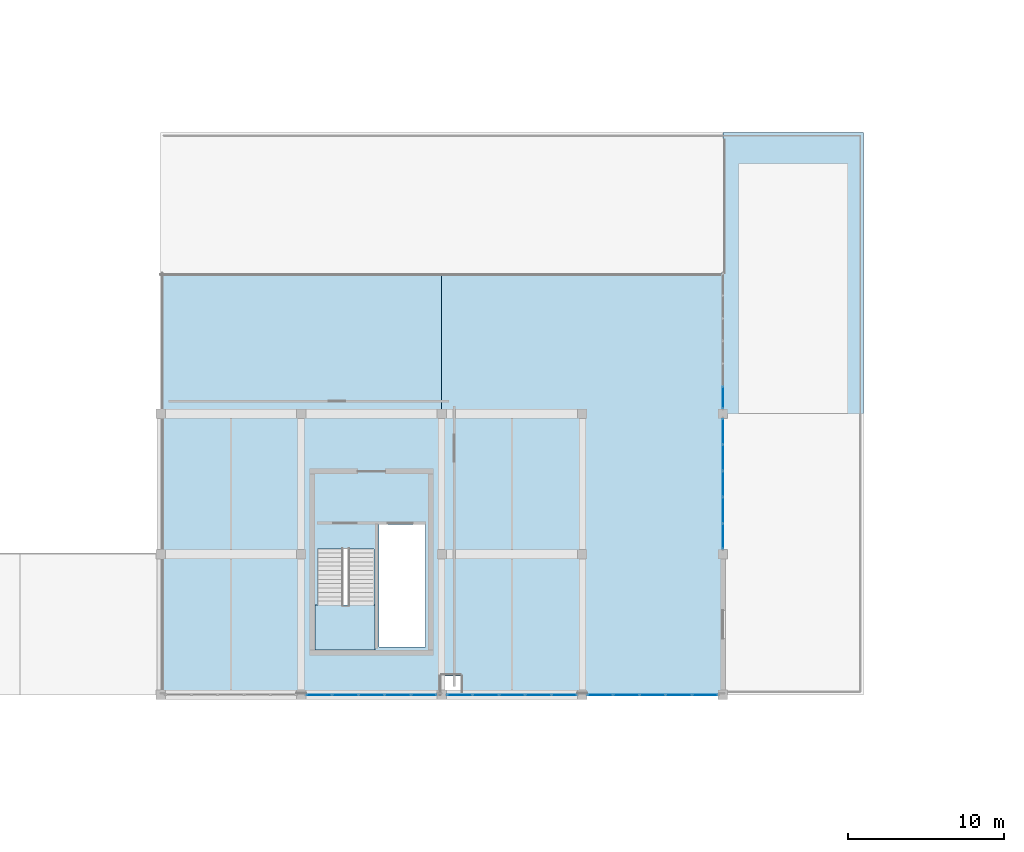
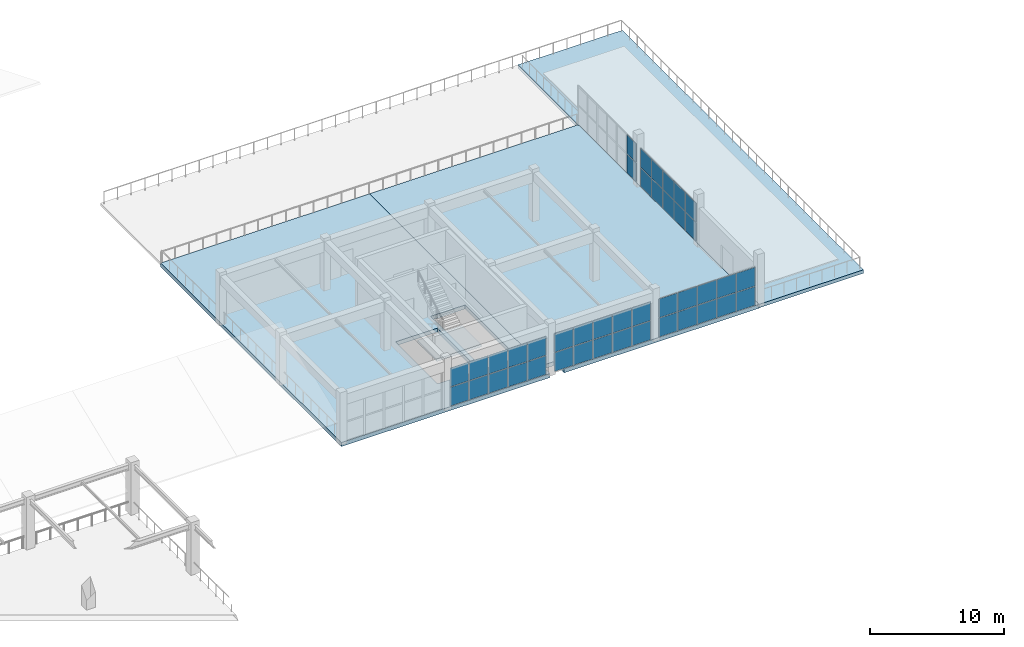
# One storey, part 56 of 89: 42 plates, 4 slabs, 6 elements without a shape of their own.
"""IFC4 building model written with IfcOpenShell, lengths in metres."""

from ifc_helpers import new_model, si_unit, direction, frame, origin, origin_2d, place, context, subcontext, project, spatial, polyline, rectangle, outline, extrude, material, layer, layer_set, type_object, element, aggregate, save


model = new_model("IFC4")

# Units and contexts
model_context = context("Model", 3, precision=1e-05, world=origin(), true_north=direction((0.0, 1.0)))
body_context = subcontext(model_context, "Body", "Model", "MODEL_VIEW")
ifc_project = project(units=[si_unit("LENGTHUNIT", "METRE"), si_unit("AREAUNIT", "SQUARE_METRE"), si_unit("VOLUMEUNIT", "CUBIC_METRE"), si_unit("PLANEANGLEUNIT", "RADIAN"), si_unit("MASSUNIT", "GRAM", prefix="KILO")], contexts=[model_context])

# Site, building, storey
site_placement = place(None, origin())
site = spatial("IfcSite", under=ifc_project, at=site_placement, CompositionType="ELEMENT")
building_placement = place(site_placement, origin())
building = spatial("IfcBuilding", under=site, at=building_placement, Name="Dornveld Trade and Exhibition Forum", CompositionType="ELEMENT")
storey_placement = place(building_placement, frame((0.0, 0.0, 12.0)))
storey = spatial("IfcBuildingStorey", under=building, at=storey_placement, Name="L02", CompositionType="ELEMENT", Elevation=12.0)

# Curtain wall, plates
ifc_material_1 = material(Name="Dark-bronze anodised aluminium and low-E glass", Category="aluminium")
ifc_layer_1 = layer(ifc_material_1, 0.159912109375)
ifc_layer_set_1 = layer_set([ifc_layer_1], Name="Dark-bronze anodised aluminium and low-E glass")
curtain_wall_type_1 = type_object("IfcCurtainWallType", Name="CW-SYS-06", PredefinedType="USERDEFINED", material=ifc_layer_set_1)
curtain_wall_1_placement = place(storey_placement, origin())
curtain_wall_1 = element("IfcCurtainWall", 1, at=curtain_wall_1_placement, inside=storey, type_object=curtain_wall_type_1, Name="L02 unitised curtain wall 114", ObjectType="UNITISED_CURTAIN_WALL", PredefinedType="USERDEFINED")
ifc_material_2 = material(Name="Double-glazed low-E solar control glass", Category="glass")
ifc_layer_2 = layer(ifc_material_2, 0.028076171875)
ifc_layer_set_2 = layer_set([ifc_layer_2], Name="Double-glazed low-E solar control glass")
plate_type_1 = type_object("IfcPlateType", Name="CW-PNL-02", PredefinedType="CURTAIN_PANEL", material=ifc_layer_set_2)
plate_1_placement = place(storey_placement, frame((181.15185546875, 108.0, 0.05615234375), z_axis=(0.0, 0.0, 1.0), x_axis=(1.0, 0.0, 0.0)))
plate_1 = element("IfcPlate", 2, at=plate_1_placement, type_object=plate_type_1, Name="CW-06 panel 1.1", PredefinedType="CURTAIN_PANEL", context=body_context, shape_type="SweptSolid", body=[
    extrude(rectangle(XDim=1.591552734375, YDim=0.028076171875, at=origin_2d()), origin(), (0.0, 0.0, 1.0), 1.701904296875),
])
plate_2_placement = place(storey_placement, frame((181.15185546875, 108.0, 1.81787109375), z_axis=(0.0, 0.0, 1.0), x_axis=(1.0, 0.0, 0.0)))
plate_2 = element("IfcPlate", 3, at=plate_2_placement, type_object=plate_type_1, Name="CW-06 panel 1.2", PredefinedType="CURTAIN_PANEL", context=body_context, shape_type="SweptSolid", body=[
    extrude(rectangle(XDim=1.591552734375, YDim=0.028076171875, at=origin_2d()), origin(), (0.0, 0.0, 1.0), 1.701904296875),
])
plate_3_placement = place(storey_placement, frame((182.818359375, 108.0, 0.05615234375), z_axis=(0.0, 0.0, 1.0), x_axis=(1.0, 0.0, 0.0)))
plate_3 = element("IfcPlate", 4, at=plate_3_placement, type_object=plate_type_1, Name="CW-06 panel 2.1", PredefinedType="CURTAIN_PANEL", context=body_context, shape_type="SweptSolid", body=[
    extrude(rectangle(XDim=1.62158203125, YDim=0.028076171875, at=origin_2d()), origin(), (0.0, 0.0, 1.0), 1.701904296875),
])
plate_4_placement = place(storey_placement, frame((182.818359375, 108.0, 1.81787109375), z_axis=(0.0, 0.0, 1.0), x_axis=(1.0, 0.0, 0.0)))
plate_4 = element("IfcPlate", 5, at=plate_4_placement, type_object=plate_type_1, Name="CW-06 panel 2.2", PredefinedType="CURTAIN_PANEL", context=body_context, shape_type="SweptSolid", body=[
    extrude(rectangle(XDim=1.62158203125, YDim=0.028076171875, at=origin_2d()), origin(), (0.0, 0.0, 1.0), 1.701904296875),
])
plate_5_placement = place(storey_placement, frame((184.5, 108.0, 0.05615234375), z_axis=(0.0, 0.0, 1.0), x_axis=(1.0, 0.0, 0.0)))
plate_5 = element("IfcPlate", 6, at=plate_5_placement, type_object=plate_type_1, Name="CW-06 panel 3.1", PredefinedType="CURTAIN_PANEL", context=body_context, shape_type="SweptSolid", body=[
    extrude(rectangle(XDim=1.62158203125, YDim=0.028076171875, at=origin_2d()), origin(), (0.0, 0.0, 1.0), 1.701904296875),
])
plate_6_placement = place(storey_placement, frame((184.5, 108.0, 1.81787109375), z_axis=(0.0, 0.0, 1.0), x_axis=(1.0, 0.0, 0.0)))
plate_6 = element("IfcPlate", 7, at=plate_6_placement, type_object=plate_type_1, Name="CW-06 panel 3.2", PredefinedType="CURTAIN_PANEL", context=body_context, shape_type="SweptSolid", body=[
    extrude(rectangle(XDim=1.62158203125, YDim=0.028076171875, at=origin_2d()), origin(), (0.0, 0.0, 1.0), 1.701904296875),
])
plate_7_placement = place(storey_placement, frame((186.181640625, 108.0, 0.05615234375), z_axis=(0.0, 0.0, 1.0), x_axis=(1.0, 0.0, 0.0)))
plate_7 = element("IfcPlate", 8, at=plate_7_placement, type_object=plate_type_1, Name="CW-06 panel 4.1", PredefinedType="CURTAIN_PANEL", context=body_context, shape_type="SweptSolid", body=[
    extrude(rectangle(XDim=1.62158203125, YDim=0.028076171875, at=origin_2d()), origin(), (0.0, 0.0, 1.0), 1.701904296875),
])
plate_8_placement = place(storey_placement, frame((186.181640625, 108.0, 1.81787109375), z_axis=(0.0, 0.0, 1.0), x_axis=(1.0, 0.0, 0.0)))
plate_8 = element("IfcPlate", 9, at=plate_8_placement, type_object=plate_type_1, Name="CW-06 panel 4.2", PredefinedType="CURTAIN_PANEL", context=body_context, shape_type="SweptSolid", body=[
    extrude(rectangle(XDim=1.62158203125, YDim=0.028076171875, at=origin_2d()), origin(), (0.0, 0.0, 1.0), 1.701904296875),
])
plate_9_placement = place(storey_placement, frame((187.84814453125, 108.0, 0.05615234375), z_axis=(0.0, 0.0, 1.0), x_axis=(1.0, 0.0, 0.0)))
plate_9 = element("IfcPlate", 10, at=plate_9_placement, type_object=plate_type_1, Name="CW-06 panel 5.1", PredefinedType="CURTAIN_PANEL", context=body_context, shape_type="SweptSolid", body=[
    extrude(rectangle(XDim=1.591552734375, YDim=0.028076171875, at=origin_2d()), origin(), (0.0, 0.0, 1.0), 1.701904296875),
])
plate_10_placement = place(storey_placement, frame((187.84814453125, 108.0, 1.81787109375), z_axis=(0.0, 0.0, 1.0), x_axis=(1.0, 0.0, 0.0)))
plate_10 = element("IfcPlate", 11, at=plate_10_placement, type_object=plate_type_1, Name="CW-06 panel 5.2", PredefinedType="CURTAIN_PANEL", context=body_context, shape_type="SweptSolid", body=[
    extrude(rectangle(XDim=1.591552734375, YDim=0.028076171875, at=origin_2d()), origin(), (0.0, 0.0, 1.0), 1.701904296875),
])
aggregate(curtain_wall_1, [plate_1, plate_2, plate_3, plate_4, plate_5, plate_6, plate_7, plate_8, plate_9, plate_10])

ifc_material_3 = material(Name="Dark-bronze anodised aluminium and low-E glass", Category="aluminium")
ifc_layer_3 = layer(ifc_material_3, 0.1630859375)
ifc_layer_set_3 = layer_set([ifc_layer_3], Name="Dark-bronze anodised aluminium and low-E glass")
curtain_wall_type_2 = type_object("IfcCurtainWallType", Name="CW-SYS-07", PredefinedType="USERDEFINED", material=ifc_layer_set_3)
curtain_wall_2_placement = place(storey_placement, origin())
curtain_wall_2 = element("IfcCurtainWall", 12, at=curtain_wall_2_placement, inside=storey, type_object=curtain_wall_type_2, Name="L02 unitised curtain wall 115", ObjectType="UNITISED_CURTAIN_WALL", PredefinedType="USERDEFINED")
ifc_material_4 = material(Name="Double-glazed low-E solar control glass", Category="glass")
ifc_layer_4 = layer(ifc_material_4, 0.030029296875)
ifc_layer_set_4 = layer_set([ifc_layer_4], Name="Double-glazed low-E solar control glass")
plate_type_2 = type_object("IfcPlateType", Name="CW-PNL-03", PredefinedType="CURTAIN_PANEL", material=ifc_layer_set_4)
plate_11_placement = place(storey_placement, frame((190.15185546875, 108.0, 0.05615234375), z_axis=(0.0, 0.0, 1.0), x_axis=(1.0, 0.0, 0.0)))
plate_11 = element("IfcPlate", 13, at=plate_11_placement, type_object=plate_type_2, Name="CW-07 panel 1.1", PredefinedType="CURTAIN_PANEL", context=body_context, shape_type="SweptSolid", body=[
    extrude(rectangle(XDim=1.591552734375, YDim=0.030029296875, at=origin_2d()), origin(), (0.0, 0.0, 1.0), 1.701904296875),
])
plate_12_placement = place(storey_placement, frame((190.15185546875, 108.0, 1.81787109375), z_axis=(0.0, 0.0, 1.0), x_axis=(1.0, 0.0, 0.0)))
plate_12 = element("IfcPlate", 14, at=plate_12_placement, type_object=plate_type_2, Name="CW-07 panel 1.2", PredefinedType="CURTAIN_PANEL", context=body_context, shape_type="SweptSolid", body=[
    extrude(rectangle(XDim=1.591552734375, YDim=0.030029296875, at=origin_2d()), origin(), (0.0, 0.0, 1.0), 1.701904296875),
])
plate_13_placement = place(storey_placement, frame((191.818359375, 108.0, 0.05615234375), z_axis=(0.0, 0.0, 1.0), x_axis=(1.0, 0.0, 0.0)))
plate_13 = element("IfcPlate", 15, at=plate_13_placement, type_object=plate_type_2, Name="CW-07 panel 2.1", PredefinedType="CURTAIN_PANEL", context=body_context, shape_type="SweptSolid", body=[
    extrude(rectangle(XDim=1.62158203125, YDim=0.030029296875, at=origin_2d()), origin(), (0.0, 0.0, 1.0), 1.701904296875),
])
plate_14_placement = place(storey_placement, frame((191.818359375, 108.0, 1.81787109375), z_axis=(0.0, 0.0, 1.0), x_axis=(1.0, 0.0, 0.0)))
plate_14 = element("IfcPlate", 16, at=plate_14_placement, type_object=plate_type_2, Name="CW-07 panel 2.2", PredefinedType="CURTAIN_PANEL", context=body_context, shape_type="SweptSolid", body=[
    extrude(rectangle(XDim=1.62158203125, YDim=0.030029296875, at=origin_2d()), origin(), (0.0, 0.0, 1.0), 1.701904296875),
])
plate_15_placement = place(storey_placement, frame((193.5, 108.0, 0.05615234375), z_axis=(0.0, 0.0, 1.0), x_axis=(1.0, 0.0, 0.0)))
plate_15 = element("IfcPlate", 17, at=plate_15_placement, type_object=plate_type_2, Name="CW-07 panel 3.1", PredefinedType="CURTAIN_PANEL", context=body_context, shape_type="SweptSolid", body=[
    extrude(rectangle(XDim=1.62158203125, YDim=0.030029296875, at=origin_2d()), origin(), (0.0, 0.0, 1.0), 1.701904296875),
])
plate_16_placement = place(storey_placement, frame((193.5, 108.0, 1.81787109375), z_axis=(0.0, 0.0, 1.0), x_axis=(1.0, 0.0, 0.0)))
plate_16 = element("IfcPlate", 18, at=plate_16_placement, type_object=plate_type_2, Name="CW-07 panel 3.2", PredefinedType="CURTAIN_PANEL", context=body_context, shape_type="SweptSolid", body=[
    extrude(rectangle(XDim=1.62158203125, YDim=0.030029296875, at=origin_2d()), origin(), (0.0, 0.0, 1.0), 1.701904296875),
])
plate_17_placement = place(storey_placement, frame((195.181640625, 108.0, 0.05615234375), z_axis=(0.0, 0.0, 1.0), x_axis=(1.0, 0.0, 0.0)))
plate_17 = element("IfcPlate", 19, at=plate_17_placement, type_object=plate_type_2, Name="CW-07 panel 4.1", PredefinedType="CURTAIN_PANEL", context=body_context, shape_type="SweptSolid", body=[
    extrude(rectangle(XDim=1.62158203125, YDim=0.030029296875, at=origin_2d()), origin(), (0.0, 0.0, 1.0), 1.701904296875),
])
plate_18_placement = place(storey_placement, frame((195.181640625, 108.0, 1.81787109375), z_axis=(0.0, 0.0, 1.0), x_axis=(1.0, 0.0, 0.0)))
plate_18 = element("IfcPlate", 20, at=plate_18_placement, type_object=plate_type_2, Name="CW-07 panel 4.2", PredefinedType="CURTAIN_PANEL", context=body_context, shape_type="SweptSolid", body=[
    extrude(rectangle(XDim=1.62158203125, YDim=0.030029296875, at=origin_2d()), origin(), (0.0, 0.0, 1.0), 1.701904296875),
])
plate_19_placement = place(storey_placement, frame((196.84814453125, 108.0, 0.05615234375), z_axis=(0.0, 0.0, 1.0), x_axis=(1.0, 0.0, 0.0)))
plate_19 = element("IfcPlate", 21, at=plate_19_placement, type_object=plate_type_2, Name="CW-07 panel 5.1", PredefinedType="CURTAIN_PANEL", context=body_context, shape_type="SweptSolid", body=[
    extrude(rectangle(XDim=1.591552734375, YDim=0.030029296875, at=origin_2d()), origin(), (0.0, 0.0, 1.0), 1.701904296875),
])
plate_20_placement = place(storey_placement, frame((196.84814453125, 108.0, 1.81787109375), z_axis=(0.0, 0.0, 1.0), x_axis=(1.0, 0.0, 0.0)))
plate_20 = element("IfcPlate", 22, at=plate_20_placement, type_object=plate_type_2, Name="CW-07 panel 5.2", PredefinedType="CURTAIN_PANEL", context=body_context, shape_type="SweptSolid", body=[
    extrude(rectangle(XDim=1.591552734375, YDim=0.030029296875, at=origin_2d()), origin(), (0.0, 0.0, 1.0), 1.701904296875),
])
aggregate(curtain_wall_2, [plate_11, plate_12, plate_13, plate_14, plate_15, plate_16, plate_17, plate_18, plate_19, plate_20])

ifc_material_5 = material(Name="Dark-bronze anodised aluminium and low-E glass", Category="aluminium")
ifc_layer_5 = layer(ifc_material_5, 0.166015625)
ifc_layer_set_5 = layer_set([ifc_layer_5], Name="Dark-bronze anodised aluminium and low-E glass")
curtain_wall_type_3 = type_object("IfcCurtainWallType", Name="CW-SYS-08", PredefinedType="USERDEFINED", material=ifc_layer_set_5)
curtain_wall_3_placement = place(storey_placement, origin())
curtain_wall_3 = element("IfcCurtainWall", 23, at=curtain_wall_3_placement, inside=storey, type_object=curtain_wall_type_3, Name="L02 unitised curtain wall 116", ObjectType="UNITISED_CURTAIN_WALL", PredefinedType="USERDEFINED")
ifc_material_6 = material(Name="Double-glazed low-E solar control glass", Category="glass")
ifc_layer_6 = layer(ifc_material_6, 0.031982421875)
ifc_layer_set_6 = layer_set([ifc_layer_6], Name="Double-glazed low-E solar control glass")
plate_type_3 = type_object("IfcPlateType", Name="CW-PNL-04", PredefinedType="CURTAIN_PANEL", material=ifc_layer_set_6)
plate_21_placement = place(storey_placement, frame((199.15185546875, 108.0, 0.05615234375), z_axis=(0.0, 0.0, 1.0), x_axis=(1.0, 0.0, 0.0)))
plate_21 = element("IfcPlate", 24, at=plate_21_placement, type_object=plate_type_3, Name="CW-08 panel 1.1", PredefinedType="CURTAIN_PANEL", context=body_context, shape_type="SweptSolid", body=[
    extrude(rectangle(XDim=1.591552734375, YDim=0.031982421875, at=origin_2d()), origin(), (0.0, 0.0, 1.0), 1.701904296875),
])
plate_22_placement = place(storey_placement, frame((199.15185546875, 108.0, 1.81787109375), z_axis=(0.0, 0.0, 1.0), x_axis=(1.0, 0.0, 0.0)))
plate_22 = element("IfcPlate", 25, at=plate_22_placement, type_object=plate_type_3, Name="CW-08 panel 1.2", PredefinedType="CURTAIN_PANEL", context=body_context, shape_type="SweptSolid", body=[
    extrude(rectangle(XDim=1.591552734375, YDim=0.031982421875, at=origin_2d()), origin(), (0.0, 0.0, 1.0), 1.701904296875),
])
plate_23_placement = place(storey_placement, frame((200.818359375, 108.0, 0.05615234375), z_axis=(0.0, 0.0, 1.0), x_axis=(1.0, 0.0, 0.0)))
plate_23 = element("IfcPlate", 26, at=plate_23_placement, type_object=plate_type_3, Name="CW-08 panel 2.1", PredefinedType="CURTAIN_PANEL", context=body_context, shape_type="SweptSolid", body=[
    extrude(rectangle(XDim=1.62158203125, YDim=0.031982421875, at=origin_2d()), origin(), (0.0, 0.0, 1.0), 1.701904296875),
])
plate_24_placement = place(storey_placement, frame((200.818359375, 108.0, 1.81787109375), z_axis=(0.0, 0.0, 1.0), x_axis=(1.0, 0.0, 0.0)))
plate_24 = element("IfcPlate", 27, at=plate_24_placement, type_object=plate_type_3, Name="CW-08 panel 2.2", PredefinedType="CURTAIN_PANEL", context=body_context, shape_type="SweptSolid", body=[
    extrude(rectangle(XDim=1.62158203125, YDim=0.031982421875, at=origin_2d()), origin(), (0.0, 0.0, 1.0), 1.701904296875),
])
plate_25_placement = place(storey_placement, frame((202.5, 108.0, 0.05615234375), z_axis=(0.0, 0.0, 1.0), x_axis=(1.0, 0.0, 0.0)))
plate_25 = element("IfcPlate", 28, at=plate_25_placement, type_object=plate_type_3, Name="CW-08 panel 3.1", PredefinedType="CURTAIN_PANEL", context=body_context, shape_type="SweptSolid", body=[
    extrude(rectangle(XDim=1.62158203125, YDim=0.031982421875, at=origin_2d()), origin(), (0.0, 0.0, 1.0), 1.701904296875),
])
plate_26_placement = place(storey_placement, frame((202.5, 108.0, 1.81787109375), z_axis=(0.0, 0.0, 1.0), x_axis=(1.0, 0.0, 0.0)))
plate_26 = element("IfcPlate", 29, at=plate_26_placement, type_object=plate_type_3, Name="CW-08 panel 3.2", PredefinedType="CURTAIN_PANEL", context=body_context, shape_type="SweptSolid", body=[
    extrude(rectangle(XDim=1.62158203125, YDim=0.031982421875, at=origin_2d()), origin(), (0.0, 0.0, 1.0), 1.701904296875),
])
plate_27_placement = place(storey_placement, frame((204.181640625, 108.0, 0.05615234375), z_axis=(0.0, 0.0, 1.0), x_axis=(1.0, 0.0, 0.0)))
plate_27 = element("IfcPlate", 30, at=plate_27_placement, type_object=plate_type_3, Name="CW-08 panel 4.1", PredefinedType="CURTAIN_PANEL", context=body_context, shape_type="SweptSolid", body=[
    extrude(rectangle(XDim=1.62158203125, YDim=0.031982421875, at=origin_2d()), origin(), (0.0, 0.0, 1.0), 1.701904296875),
])
plate_28_placement = place(storey_placement, frame((204.181640625, 108.0, 1.81787109375), z_axis=(0.0, 0.0, 1.0), x_axis=(1.0, 0.0, 0.0)))
plate_28 = element("IfcPlate", 31, at=plate_28_placement, type_object=plate_type_3, Name="CW-08 panel 4.2", PredefinedType="CURTAIN_PANEL", context=body_context, shape_type="SweptSolid", body=[
    extrude(rectangle(XDim=1.62158203125, YDim=0.031982421875, at=origin_2d()), origin(), (0.0, 0.0, 1.0), 1.701904296875),
])
plate_29_placement = place(storey_placement, frame((205.84814453125, 108.0, 0.05615234375), z_axis=(0.0, 0.0, 1.0), x_axis=(1.0, 0.0, 0.0)))
plate_29 = element("IfcPlate", 32, at=plate_29_placement, type_object=plate_type_3, Name="CW-08 panel 5.1", PredefinedType="CURTAIN_PANEL", context=body_context, shape_type="SweptSolid", body=[
    extrude(rectangle(XDim=1.591552734375, YDim=0.031982421875, at=origin_2d()), origin(), (0.0, 0.0, 1.0), 1.701904296875),
])
plate_30_placement = place(storey_placement, frame((205.84814453125, 108.0, 1.81787109375), z_axis=(0.0, 0.0, 1.0), x_axis=(1.0, 0.0, 0.0)))
plate_30 = element("IfcPlate", 33, at=plate_30_placement, type_object=plate_type_3, Name="CW-08 panel 5.2", PredefinedType="CURTAIN_PANEL", context=body_context, shape_type="SweptSolid", body=[
    extrude(rectangle(XDim=1.591552734375, YDim=0.031982421875, at=origin_2d()), origin(), (0.0, 0.0, 1.0), 1.701904296875),
])
aggregate(curtain_wall_3, [plate_21, plate_22, plate_23, plate_24, plate_25, plate_26, plate_27, plate_28, plate_29, plate_30])

ifc_material_7 = material(Name="Dark-bronze anodised aluminium and low-E glass", Category="aluminium")
ifc_layer_7 = layer(ifc_material_7, 0.1689453125)
ifc_layer_set_7 = layer_set([ifc_layer_7], Name="Dark-bronze anodised aluminium and low-E glass")
curtain_wall_type_4 = type_object("IfcCurtainWallType", Name="CW-SYS-09", PredefinedType="USERDEFINED", material=ifc_layer_set_7)
curtain_wall_4_placement = place(storey_placement, origin())
curtain_wall_4 = element("IfcCurtainWall", 34, at=curtain_wall_4_placement, inside=storey, type_object=curtain_wall_type_4, Name="L02 unitised curtain wall 117", ObjectType="UNITISED_CURTAIN_WALL", PredefinedType="USERDEFINED")
ifc_material_8 = material(Name="Double-glazed low-E solar control glass", Category="glass")
ifc_layer_8 = layer(ifc_material_8, 0.033935546875)
ifc_layer_set_8 = layer_set([ifc_layer_8], Name="Double-glazed low-E solar control glass")
plate_type_4 = type_object("IfcPlateType", Name="CW-PNL-05", PredefinedType="CURTAIN_PANEL", material=ifc_layer_set_8)
plate_31_placement = place(storey_placement, frame((207.0, 118.15185546875, 0.05615234375), z_axis=(0.0, 0.0, 1.0), x_axis=(0.0, 1.0, 0.0)))
plate_31 = element("IfcPlate", 35, at=plate_31_placement, type_object=plate_type_4, Name="CW-09 panel 1.1", PredefinedType="CURTAIN_PANEL", context=body_context, shape_type="SweptSolid", body=[
    extrude(rectangle(XDim=1.591552734375, YDim=0.033935546875, at=origin_2d()), origin(), (0.0, 0.0, 1.0), 1.701904296875),
])
plate_32_placement = place(storey_placement, frame((207.0, 118.15185546875, 1.81787109375), z_axis=(0.0, 0.0, 1.0), x_axis=(0.0, 1.0, 0.0)))
plate_32 = element("IfcPlate", 36, at=plate_32_placement, type_object=plate_type_4, Name="CW-09 panel 1.2", PredefinedType="CURTAIN_PANEL", context=body_context, shape_type="SweptSolid", body=[
    extrude(rectangle(XDim=1.591552734375, YDim=0.033935546875, at=origin_2d()), origin(), (0.0, 0.0, 1.0), 1.701904296875),
])
plate_33_placement = place(storey_placement, frame((207.0, 119.818359375, 0.05615234375), z_axis=(0.0, 0.0, 1.0), x_axis=(0.0, 1.0, 0.0)))
plate_33 = element("IfcPlate", 37, at=plate_33_placement, type_object=plate_type_4, Name="CW-09 panel 2.1", PredefinedType="CURTAIN_PANEL", context=body_context, shape_type="SweptSolid", body=[
    extrude(rectangle(XDim=1.62158203125, YDim=0.033935546875, at=origin_2d()), origin(), (0.0, 0.0, 1.0), 1.701904296875),
])
plate_34_placement = place(storey_placement, frame((207.0, 119.818359375, 1.81787109375), z_axis=(0.0, 0.0, 1.0), x_axis=(0.0, 1.0, 0.0)))
plate_34 = element("IfcPlate", 38, at=plate_34_placement, type_object=plate_type_4, Name="CW-09 panel 2.2", PredefinedType="CURTAIN_PANEL", context=body_context, shape_type="SweptSolid", body=[
    extrude(rectangle(XDim=1.62158203125, YDim=0.033935546875, at=origin_2d()), origin(), (0.0, 0.0, 1.0), 1.701904296875),
])
plate_35_placement = place(storey_placement, frame((207.0, 121.5, 0.05615234375), z_axis=(0.0, 0.0, 1.0), x_axis=(0.0, 1.0, 0.0)))
plate_35 = element("IfcPlate", 39, at=plate_35_placement, type_object=plate_type_4, Name="CW-09 panel 3.1", PredefinedType="CURTAIN_PANEL", context=body_context, shape_type="SweptSolid", body=[
    extrude(rectangle(XDim=1.62158203125, YDim=0.033935546875, at=origin_2d()), origin(), (0.0, 0.0, 1.0), 1.701904296875),
])
plate_36_placement = place(storey_placement, frame((207.0, 121.5, 1.81787109375), z_axis=(0.0, 0.0, 1.0), x_axis=(0.0, 1.0, 0.0)))
plate_36 = element("IfcPlate", 40, at=plate_36_placement, type_object=plate_type_4, Name="CW-09 panel 3.2", PredefinedType="CURTAIN_PANEL", context=body_context, shape_type="SweptSolid", body=[
    extrude(rectangle(XDim=1.62158203125, YDim=0.033935546875, at=origin_2d()), origin(), (0.0, 0.0, 1.0), 1.701904296875),
])
plate_37_placement = place(storey_placement, frame((207.0, 123.181640625, 0.05615234375), z_axis=(0.0, 0.0, 1.0), x_axis=(0.0, 1.0, 0.0)))
plate_37 = element("IfcPlate", 41, at=plate_37_placement, type_object=plate_type_4, Name="CW-09 panel 4.1", PredefinedType="CURTAIN_PANEL", context=body_context, shape_type="SweptSolid", body=[
    extrude(rectangle(XDim=1.62158203125, YDim=0.033935546875, at=origin_2d()), origin(), (0.0, 0.0, 1.0), 1.701904296875),
])
plate_38_placement = place(storey_placement, frame((207.0, 123.181640625, 1.81787109375), z_axis=(0.0, 0.0, 1.0), x_axis=(0.0, 1.0, 0.0)))
plate_38 = element("IfcPlate", 42, at=plate_38_placement, type_object=plate_type_4, Name="CW-09 panel 4.2", PredefinedType="CURTAIN_PANEL", context=body_context, shape_type="SweptSolid", body=[
    extrude(rectangle(XDim=1.62158203125, YDim=0.033935546875, at=origin_2d()), origin(), (0.0, 0.0, 1.0), 1.701904296875),
])
plate_39_placement = place(storey_placement, frame((207.0, 124.84814453125, 0.05615234375), z_axis=(0.0, 0.0, 1.0), x_axis=(0.0, 1.0, 0.0)))
plate_39 = element("IfcPlate", 43, at=plate_39_placement, type_object=plate_type_4, Name="CW-09 panel 5.1", PredefinedType="CURTAIN_PANEL", context=body_context, shape_type="SweptSolid", body=[
    extrude(rectangle(XDim=1.591552734375, YDim=0.033935546875, at=origin_2d()), origin(), (0.0, 0.0, 1.0), 1.701904296875),
])
plate_40_placement = place(storey_placement, frame((207.0, 124.84814453125, 1.81787109375), z_axis=(0.0, 0.0, 1.0), x_axis=(0.0, 1.0, 0.0)))
plate_40 = element("IfcPlate", 44, at=plate_40_placement, type_object=plate_type_4, Name="CW-09 panel 5.2", PredefinedType="CURTAIN_PANEL", context=body_context, shape_type="SweptSolid", body=[
    extrude(rectangle(XDim=1.591552734375, YDim=0.033935546875, at=origin_2d()), origin(), (0.0, 0.0, 1.0), 1.701904296875),
])
aggregate(curtain_wall_4, [plate_31, plate_32, plate_33, plate_34, plate_35, plate_36, plate_37, plate_38, plate_39, plate_40])

ifc_material_9 = material(Name="Dark-bronze anodised aluminium and low-E glass", Category="aluminium")
ifc_layer_9 = layer(ifc_material_9, 0.172119140625)
ifc_layer_set_9 = layer_set([ifc_layer_9], Name="Dark-bronze anodised aluminium and low-E glass")
curtain_wall_type_5 = type_object("IfcCurtainWallType", Name="CW-SYS-10", PredefinedType="USERDEFINED", material=ifc_layer_set_9)
curtain_wall_5_placement = place(storey_placement, origin())
curtain_wall_5 = element("IfcCurtainWall", 45, at=curtain_wall_5_placement, inside=storey, type_object=curtain_wall_type_5, Name="L02 unitised curtain wall 118", ObjectType="UNITISED_CURTAIN_WALL", PredefinedType="USERDEFINED")
ifc_material_10 = material(Name="Double-glazed low-E solar control glass", Category="glass")
ifc_layer_10 = layer(ifc_material_10, 0.035888671875)
ifc_layer_set_10 = layer_set([ifc_layer_10], Name="Double-glazed low-E solar control glass")
plate_type_5 = type_object("IfcPlateType", Name="CW-PNL-06", PredefinedType="CURTAIN_PANEL", material=ifc_layer_set_10)
plate_41_placement = place(storey_placement, frame((207.0, 127.036376953125, 0.05615234375), z_axis=(0.0, 0.0, 1.0), x_axis=(0.0, 1.0, 0.0)))
plate_41 = element("IfcPlate", 46, at=plate_41_placement, type_object=plate_type_5, Name="CW-10 panel 1.1", PredefinedType="CURTAIN_PANEL", context=body_context, shape_type="SweptSolid", body=[
    extrude(rectangle(XDim=1.360595703125, YDim=0.035888671875, at=origin_2d()), origin(), (0.0, 0.0, 1.0), 1.701904296875),
])
plate_42_placement = place(storey_placement, frame((207.0, 127.036376953125, 1.81787109375), z_axis=(0.0, 0.0, 1.0), x_axis=(0.0, 1.0, 0.0)))
plate_42 = element("IfcPlate", 47, at=plate_42_placement, type_object=plate_type_5, Name="CW-10 panel 1.2", PredefinedType="CURTAIN_PANEL", context=body_context, shape_type="SweptSolid", body=[
    extrude(rectangle(XDim=1.360595703125, YDim=0.035888671875, at=origin_2d()), origin(), (0.0, 0.0, 1.0), 1.701904296875),
])
aggregate(curtain_wall_5, [plate_41, plate_42])

# Stair, slab
ifc_material_11 = material(Name="Concrete C40/50", Category="concrete")
stair_type = type_object("IfcStairType", Name="ST-2RET-480B", PredefinedType="HALF_TURN_STAIR", material=ifc_material_11)
stair_placement = place(storey_placement, origin())
stair = element("IfcStair", 48, at=stair_placement, inside=storey, type_object=stair_type, Name="CORE-12 escape stair L02 to L03", PredefinedType="HALF_TURN_STAIR")
ifc_material_12 = material(Name="Concrete C40/50", Category="concrete")
ifc_layer_11 = layer(ifc_material_12, 0.219970703125)
ifc_layer_set_11 = layer_set([ifc_layer_11], Name="Concrete C40/50")
slab_type_1 = type_object("IfcSlabType", Name="SL-LAND-220", PredefinedType="LANDING", material=ifc_layer_set_11)
slab_1_placement = place(storey_placement, frame((0.0, 0.0, 2.179931640625)))
slab_1 = element("IfcSlab", 49, at=slab_1_placement, type_object=slab_type_1, Name="ST-12-L02 landing 1", PredefinedType="LANDING", context=body_context, shape_type="SweptSolid", body=[
    extrude(outline(polyline([(180.875, 110.875), (184.719970703125, 110.875), (184.719970703125, 113.735107421875), (180.875, 113.735107421875), (180.875, 110.875)])), origin(), (0.0, 0.0, 1.0), 0.219970703125),
])
aggregate(stair, [slab_1])

# Slabs
ifc_material_13 = material(Name="Precast concrete C50/60", Category="concrete")
ifc_layer_12 = layer(ifc_material_13, 0.260009765625)
ifc_layer_set_12 = layer_set([ifc_layer_12], Name="Precast concrete C50/60")
slab_type_2 = type_object("IfcSlabType", Name="SL-OFF-260", PredefinedType="FLOOR", material=ifc_layer_set_12)
slab_2_placement = place(storey_placement, frame((0.0, 0.0, -0.360107421875)))
element("IfcSlab", 50, at=slab_2_placement, inside=storey, type_object=slab_type_2, Name="L02 structural slab panel 66", PredefinedType="FLOOR", context=body_context, shape_type="SweptSolid", body=[
    extrude(outline(polyline([(171.0, 108.0), (189.0, 108.0), (189.0, 135.0), (171.0, 135.0), (171.0, 108.0)]), holes=[polyline([(181.050048828125, 111.050048828125), (184.64990234375, 111.050048828125), (184.64990234375, 117.330078125), (181.050048828125, 117.330078125), (181.050048828125, 111.050048828125)]), polyline([(185.0, 111.050048828125), (187.949951171875, 111.050048828125), (187.949951171875, 118.89990234375), (185.0, 118.89990234375), (185.0, 111.050048828125)])]), origin(), (0.0, 0.0, 1.0), 0.360107421875),
])
slab_3_placement = place(storey_placement, frame((0.0, 0.0, -0.360107421875)))
element("IfcSlab", 51, at=slab_3_placement, inside=storey, type_object=slab_type_2, Name="L02 structural slab panel 67", PredefinedType="FLOOR", context=body_context, shape_type="SweptSolid", body=[
    extrude(outline(polyline([(190.199951171875, 108.0), (207.0, 108.0), (207.0, 135.0), (189.0, 135.0), (189.0, 109.199951171875), (190.199951171875, 109.199951171875), (190.199951171875, 108.0)])), origin(), (0.0, 0.0, 1.0), 0.360107421875),
])
ifc_material_14 = material(Name="Concrete C40/50", Category="concrete")
ifc_layer_13 = layer(ifc_material_14, 0.320068359375)
ifc_layer_set_13 = layer_set([ifc_layer_13], Name="Concrete C40/50")
slab_type_3 = type_object("IfcSlabType", Name="SL-TERR-320", PredefinedType="FLOOR", material=ifc_layer_set_13)
slab_4_placement = place(storey_placement, frame((0.0, 0.0, -0.320068359375)))
element("IfcSlab", 52, at=slab_4_placement, inside=storey, type_object=slab_type_3, Name="L02 structural slab panel 68", PredefinedType="FLOOR", context=body_context, shape_type="SweptSolid", body=[
    extrude(outline(polyline([(207.0, 108.0), (216.0, 108.0), (216.0, 144.0), (207.0, 144.0), (207.0, 108.0)])), origin(), (0.0, 0.0, 1.0), 0.320068359375),
])

save(model, "model.ifc")
